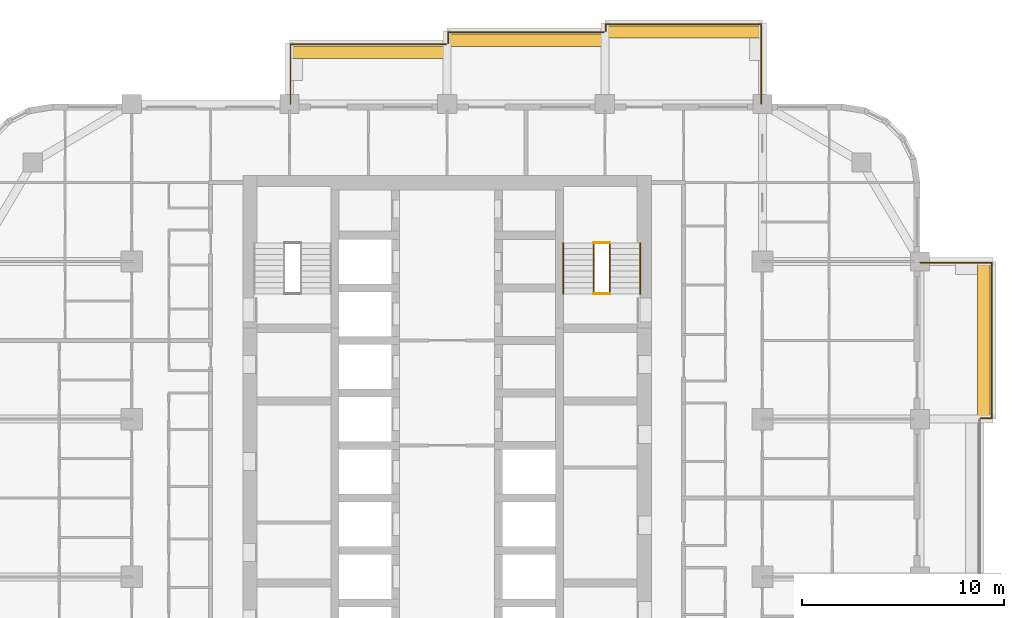
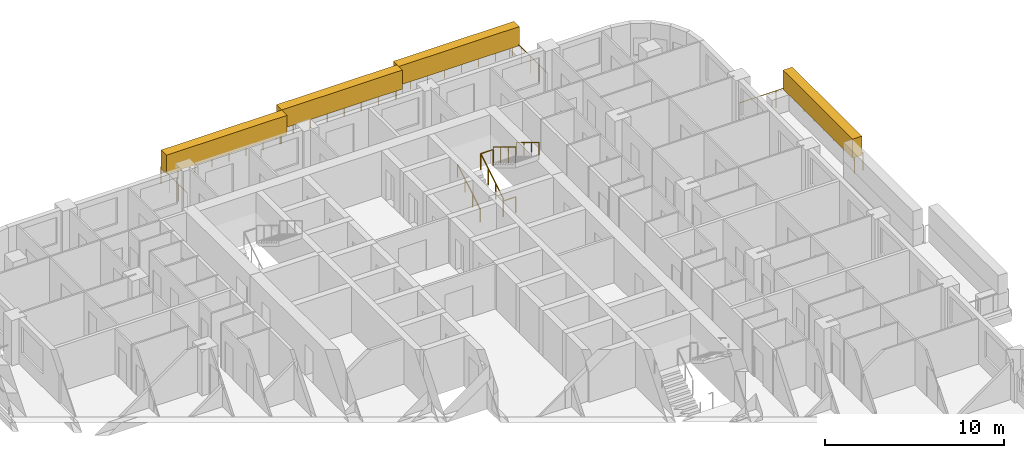
# One storey, part 17 of 17: 10 railings, 4 coverings, 1 element without a shape of its own.
"""IFC4 building model written with IfcOpenShell, lengths in metres."""

from ifc_helpers import new_model, si_unit, direction, frame, origin, origin_2d, place, context, subcontext, project, spatial, rectangle, circle, extrude, material, layer, layer_set, type_object, element, aggregate, save


model = new_model("IFC4")

# Units and contexts
model_context = context("Model", 3, precision=1e-05, world=origin(), true_north=direction((0.0, 1.0)))
body_context = subcontext(model_context, "Body", "Model", "MODEL_VIEW")
ifc_project = project(units=[si_unit("LENGTHUNIT", "METRE"), si_unit("AREAUNIT", "SQUARE_METRE"), si_unit("VOLUMEUNIT", "CUBIC_METRE"), si_unit("PLANEANGLEUNIT", "RADIAN"), si_unit("MASSUNIT", "GRAM", prefix="KILO")], contexts=[model_context])

# Site, building, storey
site_placement = place(None, origin())
site = spatial("IfcSite", under=ifc_project, at=site_placement, CompositionType="ELEMENT")
building_placement = place(site_placement, origin())
building = spatial("IfcBuilding", under=site, at=building_placement, Name="Ludao Terraces", CompositionType="ELEMENT")
storey_placement = place(building_placement, frame((0.0, 0.0, 92.0)))
storey = spatial("IfcBuildingStorey", under=building, at=storey_placement, Name="L25", CompositionType="ELEMENT", Elevation=92.0)

# Railings
ifc_material_1 = material(Name="Stainless steel 304", Category="steel")
railing_type_1 = type_object("IfcRailingType", Name="ENV Balcony glass guard 1200", PredefinedType="GUARDRAIL", material=ifc_material_1)
railing_1_placement = place(storey_placement, frame((111.39990234375, 72.85009765625, 0.0)))
element("IfcRailing", 1, at=railing_1_placement, inside=storey, type_object=railing_type_1, Name="Balcony guard L25 E4", PredefinedType="GUARDRAIL", context=body_context, shape_type="SweptSolid", body=[
    extrude(circle(Radius=0.02392578125, at=origin_2d()), frame((0.0, 0.0, 1.17578125), z_axis=(1.0, 0.0, 0.0), x_axis=(0.0, 1.0, 0.0)), (0.0, 0.0, 1.0), 0.550048828125),
    extrude(circle(Radius=0.02392578125, at=origin_2d()), frame((0.550048828125, 0.0, 1.17578125), z_axis=(0.0, 1.0, 0.0), x_axis=(-1.0, 0.0, 0.0)), (0.0, 0.0, 1.0), 7.699951171875),
    extrude(circle(Radius=0.02392578125, at=origin_2d()), frame((0.550048828125, 7.699951171875, 1.17578125), z_axis=(-1.0, 0.0, 0.0), x_axis=(0.0, -1.0, 0.0)), (0.0, 0.0, 1.0), 3.550048828125),
    extrude(circle(Radius=0.02099609375, at=origin_2d()), origin(), (0.0, 0.0, 1.0), 1.15185546875),
    extrude(circle(Radius=0.02099609375, at=origin_2d()), frame((0.550048828125, 0.0, 0.0)), (0.0, 0.0, 1.0), 1.15185546875),
    extrude(circle(Radius=0.02099609375, at=origin_2d()), frame((0.550048828125, 1.10009765625, 0.0)), (0.0, 0.0, 1.0), 1.15185546875),
    extrude(circle(Radius=0.02099609375, at=origin_2d()), frame((0.550048828125, 2.199951171875, 0.0)), (0.0, 0.0, 1.0), 1.15185546875),
    extrude(circle(Radius=0.02099609375, at=origin_2d()), frame((0.550048828125, 3.300048828125, 0.0)), (0.0, 0.0, 1.0), 1.15185546875),
    extrude(circle(Radius=0.02099609375, at=origin_2d()), frame((0.550048828125, 4.39990234375, 0.0)), (0.0, 0.0, 1.0), 1.15185546875),
    extrude(circle(Radius=0.02099609375, at=origin_2d()), frame((0.550048828125, 5.5, 0.0)), (0.0, 0.0, 1.0), 1.15185546875),
    extrude(circle(Radius=0.02099609375, at=origin_2d()), frame((0.550048828125, 6.599853515625, 0.0)), (0.0, 0.0, 1.0), 1.15185546875),
    extrude(circle(Radius=0.02099609375, at=origin_2d()), frame((0.550048828125, 7.699951171875, 0.0)), (0.0, 0.0, 1.0), 1.15185546875),
    extrude(circle(Radius=0.02099609375, at=origin_2d()), frame((-0.63330078125, 7.699951171875, 0.0)), (0.0, 0.0, 1.0), 1.15185546875),
    extrude(circle(Radius=0.02099609375, at=origin_2d()), frame((-1.816650390625, 7.699951171875, 0.0)), (0.0, 0.0, 1.0), 1.15185546875),
    extrude(circle(Radius=0.02099609375, at=origin_2d()), frame((-3.0, 7.699951171875, 0.0)), (0.0, 0.0, 1.0), 1.15185546875),
])
railing_2_placement = place(storey_placement, frame((77.25, 88.39990234375, 0.0)))
element("IfcRailing", 2, at=railing_2_placement, inside=storey, type_object=railing_type_1, Name="Balcony guard L25 N2", PredefinedType="GUARDRAIL", context=body_context, shape_type="SweptSolid", body=[
    extrude(circle(Radius=0.02392578125, at=origin_2d()), frame((0.0, 0.0, 1.17578125), z_axis=(0.0, 1.0, 0.0), x_axis=(-1.0, 0.0, 0.0)), (0.0, 0.0, 1.0), 2.9501953125),
    extrude(circle(Radius=0.02392578125, at=origin_2d()), frame((0.0, 2.9501953125, 1.17578125), z_axis=(1.0, 0.0, 0.0), x_axis=(0.0, 1.0, 0.0)), (0.0, 0.0, 1.0), 7.699951171875),
    extrude(circle(Radius=0.02099609375, at=origin_2d()), origin(), (0.0, 0.0, 1.0), 1.15185546875),
    extrude(circle(Radius=0.02099609375, at=origin_2d()), frame((0.0, 0.9833984375, 0.0)), (0.0, 0.0, 1.0), 1.15185546875),
    extrude(circle(Radius=0.02099609375, at=origin_2d()), frame((0.0, 1.966796875, 0.0)), (0.0, 0.0, 1.0), 1.15185546875),
    extrude(circle(Radius=0.02099609375, at=origin_2d()), frame((0.0, 2.9501953125, 0.0)), (0.0, 0.0, 1.0), 1.15185546875),
    extrude(circle(Radius=0.02099609375, at=origin_2d()), frame((1.10009765625, 2.9501953125, 0.0)), (0.0, 0.0, 1.0), 1.15185546875),
    extrude(circle(Radius=0.02099609375, at=origin_2d()), frame((2.199951171875, 2.9501953125, 0.0)), (0.0, 0.0, 1.0), 1.15185546875),
    extrude(circle(Radius=0.02099609375, at=origin_2d()), frame((3.300048828125, 2.9501953125, 0.0)), (0.0, 0.0, 1.0), 1.15185546875),
    extrude(circle(Radius=0.02099609375, at=origin_2d()), frame((4.39990234375, 2.9501953125, 0.0)), (0.0, 0.0, 1.0), 1.15185546875),
    extrude(circle(Radius=0.02099609375, at=origin_2d()), frame((5.5, 2.9501953125, 0.0)), (0.0, 0.0, 1.0), 1.15185546875),
    extrude(circle(Radius=0.02099609375, at=origin_2d()), frame((6.599853515625, 2.9501953125, 0.0)), (0.0, 0.0, 1.0), 1.15185546875),
    extrude(circle(Radius=0.02099609375, at=origin_2d()), frame((7.699951171875, 2.9501953125, 0.0)), (0.0, 0.0, 1.0), 1.15185546875),
])
railing_3_placement = place(storey_placement, frame((85.050048828125, 91.39990234375, 0.0)))
element("IfcRailing", 3, at=railing_3_placement, inside=storey, type_object=railing_type_1, Name="Balcony guard L25 N3", PredefinedType="GUARDRAIL", context=body_context, shape_type="SweptSolid", body=[
    extrude(circle(Radius=0.02392578125, at=origin_2d()), frame((0.0, 0.0, 1.17578125), z_axis=(0.0, 1.0, 0.0), x_axis=(-1.0, 0.0, 0.0)), (0.0, 0.0, 1.0), 0.550048828125),
    extrude(circle(Radius=0.02392578125, at=origin_2d()), frame((0.0, 0.550048828125, 1.17578125), z_axis=(1.0, 0.0, 0.0), x_axis=(0.0, 1.0, 0.0)), (0.0, 0.0, 1.0), 7.699951171875),
    extrude(circle(Radius=0.02099609375, at=origin_2d()), origin(), (0.0, 0.0, 1.0), 1.15185546875),
    extrude(circle(Radius=0.02099609375, at=origin_2d()), frame((0.0, 0.550048828125, 0.0)), (0.0, 0.0, 1.0), 1.15185546875),
    extrude(circle(Radius=0.02099609375, at=origin_2d()), frame((1.10009765625, 0.550048828125, 0.0)), (0.0, 0.0, 1.0), 1.15185546875),
    extrude(circle(Radius=0.02099609375, at=origin_2d()), frame((2.199951171875, 0.550048828125, 0.0)), (0.0, 0.0, 1.0), 1.15185546875),
    extrude(circle(Radius=0.02099609375, at=origin_2d()), frame((3.300048828125, 0.550048828125, 0.0)), (0.0, 0.0, 1.0), 1.15185546875),
    extrude(circle(Radius=0.02099609375, at=origin_2d()), frame((4.39990234375, 0.550048828125, 0.0)), (0.0, 0.0, 1.0), 1.15185546875),
    extrude(circle(Radius=0.02099609375, at=origin_2d()), frame((5.5, 0.550048828125, 0.0)), (0.0, 0.0, 1.0), 1.15185546875),
    extrude(circle(Radius=0.02099609375, at=origin_2d()), frame((6.599853515625, 0.550048828125, 0.0)), (0.0, 0.0, 1.0), 1.15185546875),
    extrude(circle(Radius=0.02099609375, at=origin_2d()), frame((7.699951171875, 0.550048828125, 0.0)), (0.0, 0.0, 1.0), 1.15185546875),
])
railing_4_placement = place(storey_placement, frame((92.85009765625, 92.0, 0.0)))
element("IfcRailing", 4, at=railing_4_placement, inside=storey, type_object=railing_type_1, Name="Balcony guard L25 N4", PredefinedType="GUARDRAIL", context=body_context, shape_type="SweptSolid", body=[
    extrude(circle(Radius=0.02392578125, at=origin_2d()), frame((0.0, 0.0, 1.17578125), z_axis=(0.0, 1.0, 0.0), x_axis=(-1.0, 0.0, 0.0)), (0.0, 0.0, 1.0), 0.35009765625),
    extrude(circle(Radius=0.02392578125, at=origin_2d()), frame((0.0, 0.35009765625, 1.17578125), z_axis=(1.0, 0.0, 0.0), x_axis=(0.0, 1.0, 0.0)), (0.0, 0.0, 1.0), 7.699951171875),
    extrude(circle(Radius=0.02392578125, at=origin_2d()), frame((7.699951171875, 0.35009765625, 1.17578125), z_axis=(0.0, -1.0, 0.0), x_axis=(1.0, 0.0, 0.0)), (0.0, 0.0, 1.0), 3.9501953125),
    extrude(circle(Radius=0.02099609375, at=origin_2d()), origin(), (0.0, 0.0, 1.0), 1.15185546875),
    extrude(circle(Radius=0.02099609375, at=origin_2d()), frame((0.0, 0.35009765625, 0.0)), (0.0, 0.0, 1.0), 1.15185546875),
    extrude(circle(Radius=0.02099609375, at=origin_2d()), frame((1.10009765625, 0.35009765625, 0.0)), (0.0, 0.0, 1.0), 1.15185546875),
    extrude(circle(Radius=0.02099609375, at=origin_2d()), frame((2.199951171875, 0.35009765625, 0.0)), (0.0, 0.0, 1.0), 1.15185546875),
    extrude(circle(Radius=0.02099609375, at=origin_2d()), frame((3.300048828125, 0.35009765625, 0.0)), (0.0, 0.0, 1.0), 1.15185546875),
    extrude(circle(Radius=0.02099609375, at=origin_2d()), frame((4.39990234375, 0.35009765625, 0.0)), (0.0, 0.0, 1.0), 1.15185546875),
    extrude(circle(Radius=0.02099609375, at=origin_2d()), frame((5.5, 0.35009765625, 0.0)), (0.0, 0.0, 1.0), 1.15185546875),
    extrude(circle(Radius=0.02099609375, at=origin_2d()), frame((6.599853515625, 0.35009765625, 0.0)), (0.0, 0.0, 1.0), 1.15185546875),
    extrude(circle(Radius=0.02099609375, at=origin_2d()), frame((7.699951171875, 0.35009765625, 0.0)), (0.0, 0.0, 1.0), 1.15185546875),
    extrude(circle(Radius=0.02099609375, at=origin_2d()), frame((7.699951171875, -0.637451171875, 0.0)), (0.0, 0.0, 1.0), 1.15185546875),
    extrude(circle(Radius=0.02099609375, at=origin_2d()), frame((7.699951171875, -1.625, 0.0)), (0.0, 0.0, 1.0), 1.15185546875),
    extrude(circle(Radius=0.02099609375, at=origin_2d()), frame((7.699951171875, -2.612548828125, 0.0)), (0.0, 0.0, 1.0), 1.15185546875),
    extrude(circle(Radius=0.02099609375, at=origin_2d()), frame((7.699951171875, -3.60009765625, 0.0)), (0.0, 0.0, 1.0), 1.15185546875),
])

# Coverings
ifc_material_2 = material(Name="Planting")
ifc_layer = layer(ifc_material_2, 0.60009765625)
ifc_layer_set = layer_set([ifc_layer], Name="ENV Planting hedge 600x1300")
covering_type = type_object("IfcCoveringType", Name="ENV Planting hedge 600x1300", PredefinedType="USERDEFINED", material=ifc_layer_set)
covering_placement = place(storey_placement, frame((111.550048828125, 76.699951171875, 1.10009765625), z_axis=(0.0, 0.0, 1.0), x_axis=(1.0, 0.0, 0.0)))
element("IfcCovering", 5, at=covering_placement, inside=storey, type_object=covering_type, Name="Planting hedge L25-E4", ObjectType="PLANTING", PredefinedType="USERDEFINED", context=body_context, shape_type="SweptSolid", body=[
    extrude(rectangle(XDim=0.60009765625, YDim=7.800048828125, at=origin_2d()), origin(), (0.0, 0.0, 1.0), 1.300048828125),
])
for number, where, z_axis, x_axis, name in (
    (6, (81.10009765625, 90.949951171875, 1.10009765625), (0.0, 0.0, 1.0), (1.0, 0.0, 0.0), "Planting hedge L25-N2"),
    (7, (88.89990234375, 91.550048828125, 1.10009765625), (0.0, 0.0, 1.0), (1.0, 0.0, 0.0), "Planting hedge L25-N3"),
    (8, (96.699951171875, 91.949951171875, 1.10009765625), (0.0, 0.0, 1.0), (1.0, 0.0, 0.0), "Planting hedge L25-N4"),
):
    element("IfcCovering", number, at=place(storey_placement, frame(where, z_axis=z_axis, x_axis=x_axis)), inside=storey, type_object=covering_type, Name=name, ObjectType="PLANTING", PredefinedType="USERDEFINED", context=body_context, shape_type="SweptSolid", body=[
        extrude(rectangle(XDim=7.800048828125, YDim=0.60009765625, at=origin_2d()), origin(), (0.0, 0.0, 1.0), 1.300048828125),
    ])

# Stair, railings
ifc_material_3 = material(Name="Concrete C40", Category="concrete")
stair_type = type_object("IfcStairType", Name="INT Stair", PredefinedType="HALF_TURN_STAIR", material=ifc_material_3)
stair_placement = place(storey_placement, origin())
stair = element("IfcStair", 9, at=stair_placement, inside=storey, type_object=stair_type, Name="EXIT STAIR 2", PredefinedType="HALF_TURN_STAIR")
railing_type_2 = type_object("IfcRailingType", Name="INT Stair guard 1100", PredefinedType="GUARDRAIL", material=ifc_material_1)
railing_5_placement = place(storey_placement, frame((92.25, 79.0, 0.169921875)))
railing_5 = element("IfcRailing", 10, at=railing_5_placement, type_object=railing_type_2, Name="ST-L25-S2-R1G", PredefinedType="GUARDRAIL", context=body_context, shape_type="SweptSolid", body=[
    extrude(circle(Radius=0.02392578125, at=origin_2d()), frame((0.0, 0.0, 1.076171875), z_axis=(0.0, 0.85478489116, 0.518982456201), x_axis=(-1.0, 0.0, 0.0)), (0.0, 0.0, 1.0), 2.9482421875),
    extrude(circle(Radius=0.02099609375, at=origin_2d()), origin(), (0.0, 0.0, 1.0), 1.052001953125),
    extrude(circle(Radius=0.02099609375, at=origin_2d()), frame((0.0, 0.840087890625, 0.510009765625)), (0.0, 0.0, 1.0), 1.052001953125),
    extrude(circle(Radius=0.02099609375, at=origin_2d()), frame((0.0, 1.679931640625, 1.02001953125)), (0.0, 0.0, 1.0), 1.052001953125),
    extrude(circle(Radius=0.02099609375, at=origin_2d()), frame((0.0, 2.52001953125, 1.530029296875)), (0.0, 0.0, 1.0), 1.052001953125),
])
railing_6_placement = place(storey_placement, frame((93.050048828125, 81.52001953125, 1.8701171875)))
railing_6 = element("IfcRailing", 11, at=railing_6_placement, type_object=railing_type_2, Name="ST-L25-S2-R2G", PredefinedType="GUARDRAIL", context=body_context, shape_type="SweptSolid", body=[
    extrude(circle(Radius=0.02392578125, at=origin_2d()), frame((0.0, 0.0, 1.076171875), z_axis=(0.0, -0.854821627497, 0.518921945155), x_axis=(1.0, 0.0, 0.0)), (0.0, 0.0, 1.0), 2.947998046875),
    extrude(circle(Radius=0.02099609375, at=origin_2d()), origin(), (0.0, 0.0, 1.0), 1.052001953125),
    extrude(circle(Radius=0.02099609375, at=origin_2d()), frame((0.0, -0.840087890625, 0.510009765625)), (0.0, 0.0, 1.0), 1.052001953125),
    extrude(circle(Radius=0.02099609375, at=origin_2d()), frame((0.0, -1.679931640625, 1.019775390625)), (0.0, 0.0, 1.0), 1.052001953125),
    extrude(circle(Radius=0.02099609375, at=origin_2d()), frame((0.0, -2.52001953125, 1.52978515625)), (0.0, 0.0, 1.0), 1.052001953125),
])
railing_7_placement = place(storey_placement, frame((92.25, 81.52001953125, 1.699951171875)))
railing_7 = element("IfcRailing", 12, at=railing_7_placement, type_object=railing_type_2, Name="ST-L25-S2-E1G", PredefinedType="GUARDRAIL", context=body_context, shape_type="SweptSolid", body=[
    extrude(circle(Radius=0.02392578125, at=origin_2d()), frame((0.0, 0.0, 1.076171875), z_axis=(1.0, 0.0, 0.0), x_axis=(0.0, 1.0, 0.0)), (0.0, 0.0, 1.0), 0.800048828125),
    extrude(circle(Radius=0.02099609375, at=origin_2d()), origin(), (0.0, 0.0, 1.0), 1.052001953125),
    extrude(circle(Radius=0.02099609375, at=origin_2d()), frame((0.800048828125, 0.0, 0.0)), (0.0, 0.0, 1.0), 1.052001953125),
])
railing_8_placement = place(storey_placement, frame((92.25, 79.0, 0.0)))
railing_8 = element("IfcRailing", 13, at=railing_8_placement, type_object=railing_type_2, Name="ST-L25-S2-E2G", PredefinedType="GUARDRAIL", context=body_context, shape_type="SweptSolid", body=[
    extrude(circle(Radius=0.02392578125, at=origin_2d()), frame((0.0, 0.0, 1.076171875), z_axis=(1.0, 0.0, 0.0), x_axis=(0.0, 1.0, 0.0)), (0.0, 0.0, 1.0), 0.800048828125),
    extrude(circle(Radius=0.02099609375, at=origin_2d()), origin(), (0.0, 0.0, 1.0), 1.052001953125),
    extrude(circle(Radius=0.02099609375, at=origin_2d()), frame((0.800048828125, 0.0, 0.0)), (0.0, 0.0, 1.0), 1.052001953125),
])
railing_type_3 = type_object("IfcRailingType", Name="INT Stair handrail 900", PredefinedType="HANDRAIL", material=ifc_material_1)
railing_9_placement = place(storey_placement, frame((90.75, 79.0, 0.169921875)))
railing_9 = element("IfcRailing", 14, at=railing_9_placement, type_object=railing_type_3, Name="ST-L25-S2-R1H", PredefinedType="HANDRAIL", context=body_context, shape_type="SweptSolid", body=[
    extrude(circle(Radius=0.02392578125, at=origin_2d()), frame((0.0, 0.0, 0.8759765625), z_axis=(0.0, 0.85478489116, 0.518982456201), x_axis=(-1.0, 0.0, 0.0)), (0.0, 0.0, 1.0), 2.9482421875),
    extrude(circle(Radius=0.02099609375, at=origin_2d()), origin(), (0.0, 0.0, 1.0), 0.851806640625),
    extrude(circle(Radius=0.02099609375, at=origin_2d()), frame((0.0, 0.840087890625, 0.510009765625)), (0.0, 0.0, 1.0), 0.851806640625),
    extrude(circle(Radius=0.02099609375, at=origin_2d()), frame((0.0, 1.679931640625, 1.02001953125)), (0.0, 0.0, 1.0), 0.851806640625),
    extrude(circle(Radius=0.02099609375, at=origin_2d()), frame((0.0, 2.52001953125, 1.530029296875)), (0.0, 0.0, 1.0), 0.851806640625),
])
railing_10_placement = place(storey_placement, frame((94.550048828125, 81.52001953125, 1.8701171875)))
railing_10 = element("IfcRailing", 15, at=railing_10_placement, type_object=railing_type_3, Name="ST-L25-S2-R2H", PredefinedType="HANDRAIL", context=body_context, shape_type="SweptSolid", body=[
    extrude(circle(Radius=0.02392578125, at=origin_2d()), frame((0.0, 0.0, 0.8759765625), z_axis=(0.0, -0.854821627497, 0.518921945155), x_axis=(1.0, 0.0, 0.0)), (0.0, 0.0, 1.0), 2.947998046875),
    extrude(circle(Radius=0.02099609375, at=origin_2d()), origin(), (0.0, 0.0, 1.0), 0.851806640625),
    extrude(circle(Radius=0.02099609375, at=origin_2d()), frame((0.0, -0.840087890625, 0.510009765625)), (0.0, 0.0, 1.0), 0.851806640625),
    extrude(circle(Radius=0.02099609375, at=origin_2d()), frame((0.0, -1.679931640625, 1.019775390625)), (0.0, 0.0, 1.0), 0.851806640625),
    extrude(circle(Radius=0.02099609375, at=origin_2d()), frame((0.0, -2.52001953125, 1.52978515625)), (0.0, 0.0, 1.0), 0.851806640625),
])
aggregate(stair, [railing_5, railing_9, railing_6, railing_10, railing_7, railing_8])

save(model, "model.ifc")
